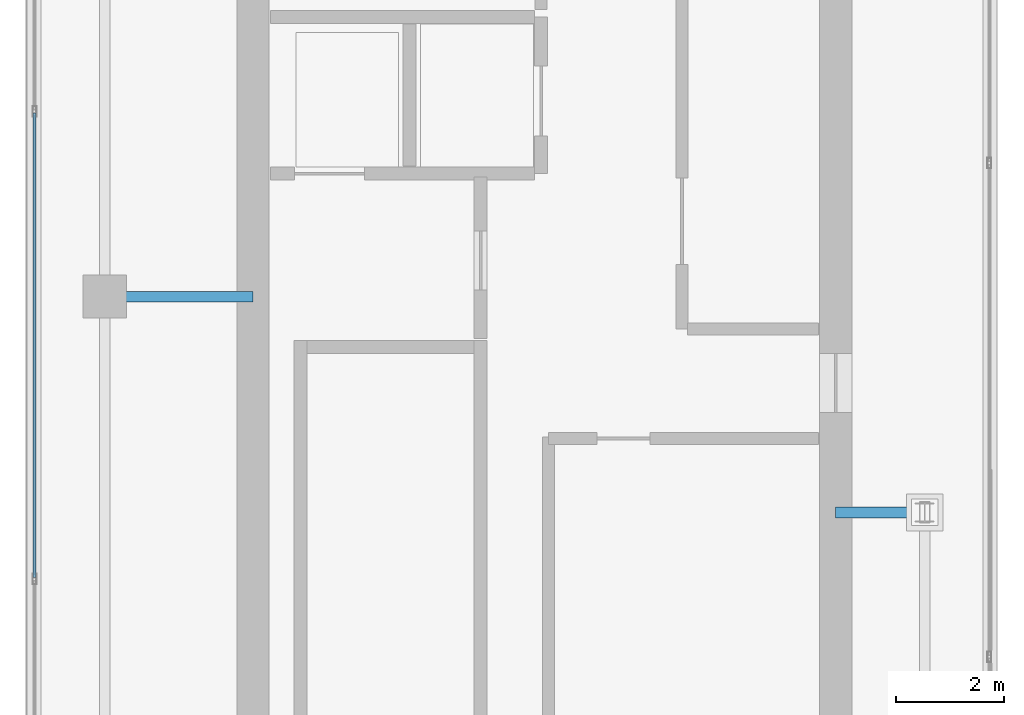
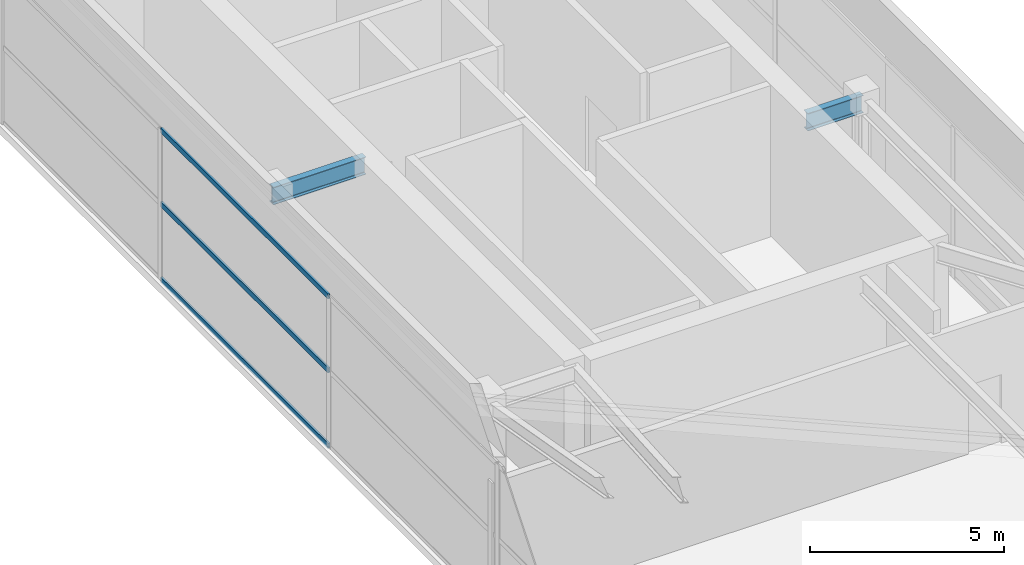
# One storey, part 10 of 20: 3 members, 2 beams, 1 element without a shape of its own.
"""IFC4 building model written with IfcOpenShell, lengths in metres."""

from ifc_helpers import new_model, si_unit, direction, frame, origin, origin_2d, place, context, subcontext, project, spatial, hollow_rectangle, i_section, extrude, material, layer, layer_set, material_profile, profile_set, type_object, element, aggregate, save


model = new_model("IFC4")

# Units and contexts
model_context = context("Model", 3, precision=1e-05, world=origin(), true_north=direction((0.0, 1.0)))
body_context = subcontext(model_context, "Body", "Model", "MODEL_VIEW")
ifc_project = project(units=[si_unit("LENGTHUNIT", "METRE"), si_unit("AREAUNIT", "SQUARE_METRE"), si_unit("VOLUMEUNIT", "CUBIC_METRE"), si_unit("PLANEANGLEUNIT", "RADIAN"), si_unit("MASSUNIT", "GRAM", prefix="KILO")], contexts=[model_context])

# Site, building, storey
site_placement = place(None, origin())
site = spatial("IfcSite", under=ifc_project, at=site_placement, CompositionType="ELEMENT")
building_placement = place(site_placement, origin())
building = spatial("IfcBuilding", under=site, at=building_placement, Name="Calvorn Quay Hotel", CompositionType="ELEMENT")
storey_placement = place(building_placement, frame((0.0, 0.0, 345.5)))
storey = spatial("IfcBuildingStorey", under=building, at=storey_placement, Name="L84", CompositionType="ELEMENT", Elevation=345.5)

# Beams
ifc_material_1 = material(Name="Steel Q355B", Category="steel")
ifc_material_profile_1 = material_profile(ifc_material_1, i_section(OverallWidth=0.199951171875, OverallDepth=0.550048828125, WebThickness=0.010009765625, FlangeThickness=0.01611328125, FilletRadius=0.01806640625, at=origin_2d()), Name="HN550x200x10x16")
ifc_profile_set_1 = profile_set([ifc_material_profile_1], Name="Steel Q355B")
beam_type = type_object("IfcBeamType", Name="BM-GIRD-UPP", PredefinedType="BEAM", material=ifc_profile_set_1)
beam_1_placement = place(storey_placement, frame((1.449951171875, 27.60009765625, 4.304931640625), z_axis=(1.0, 0.0, 0.0), x_axis=(0.0, 1.0, 0.0)))
element("IfcBeam", 1, at=beam_1_placement, inside=storey, type_object=beam_type, Name="Beam BG-L84-W2", PredefinedType="BEAM", context=body_context, shape_type="SweptSolid", body=[
    extrude(i_section(OverallWidth=0.199951171875, OverallDepth=0.550048828125, WebThickness=0.010009765625, FlangeThickness=0.01611328125, FilletRadius=0.01806640625, at=origin_2d()), origin(), (0.0, 0.0, 1.0), 2.75),
])
beam_2_placement = place(storey_placement, frame((15.0, 23.60009765625, 4.304931640625), z_axis=(1.0, 0.0, 0.0), x_axis=(0.0, 1.0, 0.0)))
element("IfcBeam", 2, at=beam_2_placement, inside=storey, type_object=beam_type, Name="Beam BTG-L84-C-CR3", PredefinedType="BEAM", context=body_context, shape_type="SweptSolid", body=[
    extrude(i_section(OverallWidth=0.199951171875, OverallDepth=0.550048828125, WebThickness=0.010009765625, FlangeThickness=0.01611328125, FilletRadius=0.01806640625, at=origin_2d()), origin(), (0.0, 0.0, 1.0), 1.64990234375),
])

# Curtain wall, members
ifc_material_2 = material(Name="Pale Anodised Aluminium and Laminated Glass", Category="aluminium")
ifc_layer = layer(ifc_material_2, 0.219970703125)
ifc_layer_set = layer_set([ifc_layer], Name="CW-SYS-CRN")
curtain_wall_type = type_object("IfcCurtainWallType", Name="CW-SYS-CRN", PredefinedType="NOTDEFINED", material=ifc_layer_set)
curtain_wall_placement = place(storey_placement, origin())
curtain_wall = element("IfcCurtainWall", 3, at=curtain_wall_placement, inside=storey, type_object=curtain_wall_type, Name="Crown Curtain Wall L84-C3", PredefinedType="NOTDEFINED")
ifc_material_3 = material(Name="Pale Anodised Aluminium 6063-T6", Category="aluminium")
ifc_material_profile_2 = material_profile(ifc_material_3, hollow_rectangle(XDim=0.06201171875, YDim=0.159912109375, WallThickness=0.00341796875, at=origin_2d()), Name="ALU-T160x62x3.5")
ifc_profile_set_2 = profile_set([ifc_material_profile_2], Name="Pale Anodised Aluminium 6063-T6")
member_type = type_object("IfcMemberType", Name="CW-SYS-CRN-TRN", PredefinedType="USERDEFINED", material=ifc_profile_set_2)
member_1_placement = place(storey_placement, frame((0.14990234375, 31.006103515625, 0.030029296875), z_axis=(0.0, -1.0, 0.0), x_axis=(1.0, 0.0, 0.0)))
member_1 = element("IfcMember", 4, at=member_1_placement, type_object=member_type, Name="CW-L84-C3 transom 3.1", ObjectType="TRANSOM", PredefinedType="USERDEFINED", context=body_context, shape_type="SweptSolid", body=[
    extrude(hollow_rectangle(XDim=0.06201171875, YDim=0.159912109375, WallThickness=0.00341796875, at=origin_2d()), origin(), (0.0, 0.0, 1.0), 8.612060546875),
])
member_2_placement = place(storey_placement, frame((0.14990234375, 31.006103515625, 2.39990234375), z_axis=(0.0, -1.0, 0.0), x_axis=(1.0, 0.0, 0.0)))
member_2 = element("IfcMember", 5, at=member_2_placement, type_object=member_type, Name="CW-L84-C3 transom 3.2", ObjectType="TRANSOM", PredefinedType="USERDEFINED", context=body_context, shape_type="SweptSolid", body=[
    extrude(hollow_rectangle(XDim=0.06201171875, YDim=0.159912109375, WallThickness=0.00341796875, at=origin_2d()), origin(), (0.0, 0.0, 1.0), 8.612060546875),
])
member_3_placement = place(storey_placement, frame((0.14990234375, 31.006103515625, 4.719970703125), z_axis=(0.0, -1.0, 0.0), x_axis=(1.0, 0.0, 0.0)))
member_3 = element("IfcMember", 6, at=member_3_placement, type_object=member_type, Name="CW-L84-C3 transom 3.3", ObjectType="TRANSOM", PredefinedType="USERDEFINED", context=body_context, shape_type="SweptSolid", body=[
    extrude(hollow_rectangle(XDim=0.06201171875, YDim=0.159912109375, WallThickness=0.00341796875, at=origin_2d()), origin(), (0.0, 0.0, 1.0), 8.612060546875),
])
aggregate(curtain_wall, [member_1, member_2, member_3])

save(model, "model.ifc")
